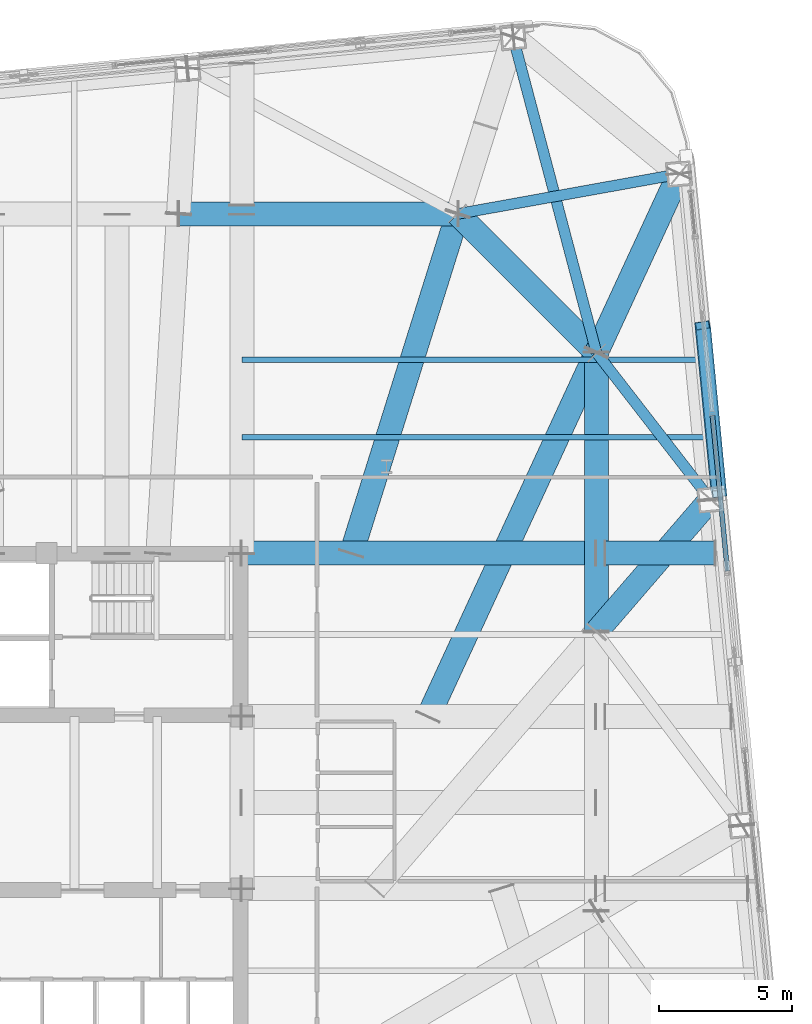
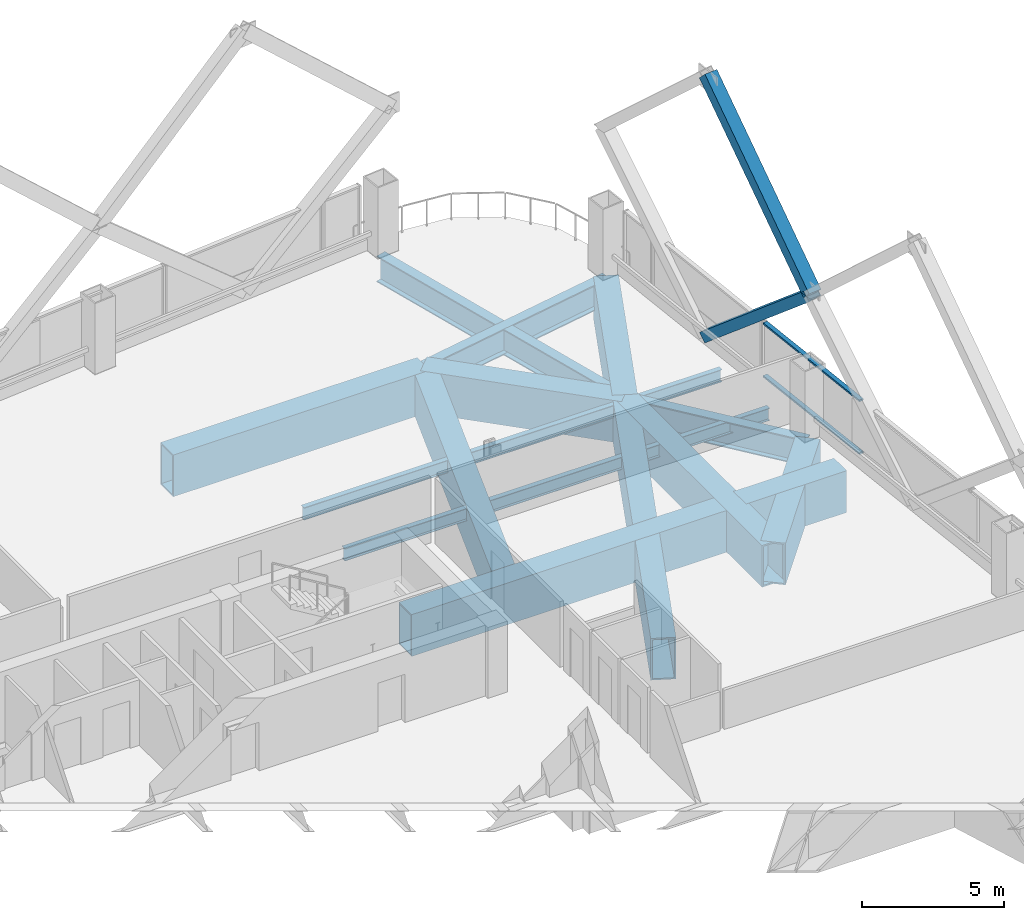
# One storey, part 29 of 42: 14 beams, 4 members, 1 element without a shape of its own.
"""IFC4 building model written with IfcOpenShell, lengths in metres."""

from ifc_helpers import new_model, si_unit, direction, frame, origin, origin_2d, place, context, subcontext, project, spatial, hollow_rectangle, i_section, extrude, material, layer, layer_set, material_profile, profile_set, type_object, element, aggregate, save


model = new_model("IFC4")

# Units and contexts
model_context = context("Model", 3, precision=1e-05, world=origin(), true_north=direction((0.0, 1.0)))
body_context = subcontext(model_context, "Body", "Model", "MODEL_VIEW")
ifc_project = project(units=[si_unit("LENGTHUNIT", "METRE"), si_unit("AREAUNIT", "SQUARE_METRE"), si_unit("VOLUMEUNIT", "CUBIC_METRE"), si_unit("PLANEANGLEUNIT", "RADIAN"), si_unit("MASSUNIT", "GRAM", prefix="KILO")], contexts=[model_context])

# Site, building, storey
site_placement = place(None, origin())
site = spatial("IfcSite", under=ifc_project, at=site_placement, CompositionType="ELEMENT")
building_placement = place(site_placement, origin())
building = spatial("IfcBuilding", under=site, at=building_placement, Name="Qhalaya Broadcast Tower", CompositionType="ELEMENT")
storey_placement = place(building_placement, frame((0.0, 0.0, 69.449951171875)))
storey = spatial("IfcBuildingStorey", under=building, at=storey_placement, Name="L19", CompositionType="ELEMENT", Elevation=69.449951171875)

# Beams
ifc_material_1 = material(Name="Structural Steel ASTM A572 Grade 50", Category="steel")
ifc_material_profile_1 = material_profile(ifc_material_1, hollow_rectangle(XDim=0.89990234375, YDim=1.800048828125, WallThickness=0.06005859375, at=origin_2d()), Name="BOX 900x1800x60")
ifc_profile_set_1 = profile_set([ifc_material_profile_1], Name="Structural Steel ASTM A572 Grade 50")
beam_type_1 = type_object("IfcBeamType", Name="Block Cantilever Transfer Box Girder TG1", PredefinedType="USERDEFINED", material=ifc_profile_set_1)
beam_1_placement = place(storey_placement, frame((22.669921875, 7.00341796875, -1.119873046875), z_axis=(0.0, 1.0, 0.0), x_axis=(-1.0, 0.0, 0.0)))
element("IfcBeam", 1, at=beam_1_placement, inside=storey, type_object=beam_type_1, Name="L19 TG1 L19-TGL-07", ObjectType="GIRDER", PredefinedType="USERDEFINED", context=body_context, shape_type="SweptSolid", body=[
    extrude(hollow_rectangle(XDim=0.89990234375, YDim=1.800048828125, WallThickness=0.06005859375, at=origin_2d()), origin(), (0.0, 0.0, 1.0), 10.466552734375),
])
beam_2_placement = place(storey_placement, frame((22.669921875, 17.469970703125, -1.119873046875), z_axis=(-0.707106781187, 0.707106781187, 0.0), x_axis=(-0.707106781187, -0.707106781187, 0.0)))
element("IfcBeam", 2, at=beam_2_placement, inside=storey, type_object=beam_type_1, Name="L19 TG1 L19-TGL-08", ObjectType="GIRDER", PredefinedType="USERDEFINED", context=body_context, shape_type="SweptSolid", body=[
    extrude(hollow_rectangle(XDim=0.89990234375, YDim=1.800048828125, WallThickness=0.06005859375, at=origin_2d()), origin(), (0.0, 0.0, 1.0), 7.353759765625),
])
beam_3_placement = place(storey_placement, frame((17.469970703125, 22.669921875, -1.119873046875), z_axis=(-1.0, 0.0, 0.0), x_axis=(0.0, -1.0, 0.0)))
element("IfcBeam", 3, at=beam_3_placement, inside=storey, type_object=beam_type_1, Name="L19 TG1 L19-TGL-09", ObjectType="GIRDER", PredefinedType="USERDEFINED", context=body_context, shape_type="SweptSolid", body=[
    extrude(hollow_rectangle(XDim=0.89990234375, YDim=1.800048828125, WallThickness=0.06005859375, at=origin_2d()), origin(), (0.0, 0.0, 1.0), 10.466552734375),
])
beam_4_placement = place(storey_placement, frame((9.375, 9.949951171875, -1.119873046875), z_axis=(1.0, 0.0, 0.0), x_axis=(0.0, 1.0, 0.0)))
element("IfcBeam", 4, at=beam_4_placement, inside=storey, type_object=beam_type_1, Name="L19 TG1 L19-TGIY4E-1", ObjectType="GIRDER", PredefinedType="USERDEFINED", context=body_context, shape_type="SweptSolid", body=[
    extrude(hollow_rectangle(XDim=0.89990234375, YDim=1.800048828125, WallThickness=0.06005859375, at=origin_2d()), origin(), (0.0, 0.0, 1.0), 13.2548828125),
])
beam_5_placement = place(storey_placement, frame((22.669921875, 7.00341796875, -1.119873046875), z_axis=(0.653164847304, 0.757215743528, 0.0), x_axis=(-0.757215743528, 0.653164847304, 0.0)))
element("IfcBeam", 5, at=beam_5_placement, inside=storey, type_object=beam_type_1, Name="L19 Cantilever Transfer Box Girder 07", ObjectType="GIRDER", PredefinedType="USERDEFINED", context=body_context, shape_type="SweptSolid", body=[
    extrude(hollow_rectangle(XDim=0.89990234375, YDim=1.800048828125, WallThickness=0.06005859375, at=origin_2d()), origin(), (0.0, 0.0, 1.0), 6.539306640625),
])
beam_6_placement = place(storey_placement, frame((16.361328125, 3.824951171875, -1.119873046875), z_axis=(0.41965542157, 0.907683495028, 0.0), x_axis=(-0.907683495028, 0.41965542157, 0.0)))
element("IfcBeam", 6, at=beam_6_placement, inside=storey, type_object=beam_type_1, Name="L19 Collinear Back-Span Transfer Box Girder 08", ObjectType="GIRDER", PredefinedType="USERDEFINED", context=body_context, shape_type="SweptSolid", body=[
    extrude(hollow_rectangle(XDim=0.89990234375, YDim=1.800048828125, WallThickness=0.06005859375, at=origin_2d()), origin(), (0.0, 0.0, 1.0), 15.03271484375),
])
beam_7_placement = place(storey_placement, frame((22.669921875, 17.469970703125, -1.119873046875), z_axis=(0.419652079388, 0.907685040234, 0.0), x_axis=(-0.907685040234, 0.419652079388, 0.0)))
element("IfcBeam", 7, at=beam_7_placement, inside=storey, type_object=beam_type_1, Name="L19 Cantilever Transfer Box Girder 08", ObjectType="GIRDER", PredefinedType="USERDEFINED", context=body_context, shape_type="SweptSolid", body=[
    extrude(hollow_rectangle(XDim=0.89990234375, YDim=1.800048828125, WallThickness=0.06005859375, at=origin_2d()), origin(), (0.0, 0.0, 1.0), 7.376220703125),
])
beam_8_placement = place(storey_placement, frame((13.48388671875, 9.949951171875, -1.119873046875), z_axis=(0.299033059069, 0.954242751916, 0.0), x_axis=(-0.954242751916, 0.299033059069, 0.0)))
element("IfcBeam", 8, at=beam_8_placement, inside=storey, type_object=beam_type_1, Name="L19 Collinear Back-Span Transfer Box Girder 09", ObjectType="GIRDER", PredefinedType="USERDEFINED", context=body_context, shape_type="SweptSolid", body=[
    extrude(hollow_rectangle(XDim=0.89990234375, YDim=1.800048828125, WallThickness=0.06005859375, at=origin_2d()), origin(), (0.0, 0.0, 1.0), 13.329833984375),
])
beam_9_placement = place(storey_placement, frame((23.010009765625, 9.949951171875, -1.119873046875), z_axis=(1.0, 0.0, 0.0), x_axis=(0.0, 1.0, 0.0)))
element("IfcBeam", 9, at=beam_9_placement, inside=storey, type_object=beam_type_1, Name="L19 TG1 L19-PGYE4-OV1", ObjectType="GIRDER", PredefinedType="USERDEFINED", context=body_context, shape_type="SweptSolid", body=[
    extrude(hollow_rectangle(XDim=0.89990234375, YDim=1.800048828125, WallThickness=0.06005859375, at=origin_2d()), origin(), (0.0, 0.0, 1.0), 4.104248046875),
])
ifc_material_2 = material(Name="Structural Steel ASTM A992 Grade 50", Category="steel")
ifc_material_profile_2 = material_profile(ifc_material_2, i_section(OverallWidth=0.2099609375, OverallDepth=0.535888671875, WebThickness=0.010986328125, FlangeThickness=0.017333984375, at=origin_2d()), Name="W21X68")
ifc_profile_set_2 = profile_set([ifc_material_profile_2], Name="Structural Steel ASTM A992 Grade 50")
beam_type_2 = type_object("IfcBeamType", Name="Composite Floor Joist J02", PredefinedType="JOIST", material=ifc_profile_set_2)
beam_10_placement = place(storey_placement, frame((9.375, 14.300048828125, -0.488037109375), z_axis=(1.0, 0.0, 0.0), x_axis=(0.0, 1.0, 0.0)))
element("IfcBeam", 10, at=beam_10_placement, inside=storey, type_object=beam_type_2, Name="L19 J02 L19-JWE6E-1", PredefinedType="JOIST", context=body_context, shape_type="SweptSolid", body=[
    extrude(i_section(OverallWidth=0.2099609375, OverallDepth=0.535888671875, WebThickness=0.010986328125, FlangeThickness=0.017333984375, at=origin_2d()), origin(), (0.0, 0.0, 1.0), 17.3203125),
])
beam_11_placement = place(storey_placement, frame((9.375, 17.199951171875, -0.488037109375), z_axis=(1.0, 0.0, 0.0), x_axis=(0.0, 1.0, 0.0)))
element("IfcBeam", 11, at=beam_11_placement, inside=storey, type_object=beam_type_2, Name="L19 J02 L19-JWE7E-1", PredefinedType="JOIST", context=body_context, shape_type="SweptSolid", body=[
    extrude(i_section(OverallWidth=0.2099609375, OverallDepth=0.535888671875, WebThickness=0.010986328125, FlangeThickness=0.017333984375, at=origin_2d()), origin(), (0.0, 0.0, 1.0), 17.041015625),
])

# Members
ifc_material_profile_3 = material_profile(ifc_material_1, hollow_rectangle(XDim=0.419921875, YDim=0.550048828125, WallThickness=0.028076171875, at=origin_2d()), Name="BOX 420x550x28")
ifc_profile_set_3 = profile_set([ifc_material_profile_3], Name="Structural Steel ASTM A572 Grade 50")
member_type_1 = type_object("IfcMemberType", Name="Exoskeleton Diamond Diagonal Mid-Low EX2", PredefinedType="BRACE", material=ifc_profile_set_3)
member_1_placement = place(storey_placement, frame((26.6533203125, 18.49072265625, 0.360107421875), z_axis=(0.073066636585, -0.758635580976, 0.647405067864), x_axis=(-0.157184996454, 0.632267567763, 0.758637330775)))
element("IfcMember", 12, at=member_1_placement, inside=storey, type_object=member_type_1, Name="B2 Exoskeleton Diamond Brace E3-D1", PredefinedType="BRACE", context=body_context, shape_type="SweptSolid", body=[
    extrude(hollow_rectangle(XDim=0.419921875, YDim=0.550048828125, WallThickness=0.028076171875, at=origin_2d()), origin(), (0.0, 0.0, 1.0), 8.309814453125),
])
member_2_placement = place(storey_placement, frame((27.260498046875, 12.1865234375, 5.739990234375), z_axis=(-0.070368182799, 0.730618100613, 0.6791505797), x_axis=(0.160214414414, -0.663721379818, 0.730619785789)))
element("IfcMember", 13, at=member_2_placement, inside=storey, type_object=member_type_1, Name="B2 Exoskeleton Diamond Brace E3-D3", PredefinedType="BRACE", context=body_context, shape_type="SweptSolid", body=[
    extrude(hollow_rectangle(XDim=0.419921875, YDim=0.550048828125, WallThickness=0.028076171875, at=origin_2d()), origin(), (0.0, 0.0, 1.0), 8.628662109375),
])

# Beams
ifc_material_profile_4 = material_profile(ifc_material_2, i_section(OverallWidth=0.404052734375, OverallDepth=1.117919921875, WebThickness=0.026123046875, FlangeThickness=0.044921875, at=origin_2d()), Name="W44X335")
ifc_profile_set_4 = profile_set([ifc_material_profile_4], Name="Structural Steel ASTM A992 Grade 50")
beam_type_3 = type_object("IfcBeamType", Name="Podium Long-Span Primary Girder PG1", PredefinedType="USERDEFINED", material=ifc_profile_set_4)
beam_12_placement = place(storey_placement, frame((22.669921875, 17.469970703125, -0.779052734375), z_axis=(0.612320718714, -0.790609472137, 0.0), x_axis=(0.790609472137, 0.612320718714, 0.0)))
element("IfcBeam", 14, at=beam_12_placement, inside=storey, type_object=beam_type_3, Name="L19 Column-to-Column Moment Tie Girder 07-2", ObjectType="GIRDER", PredefinedType="USERDEFINED", context=body_context, shape_type="SweptSolid", body=[
    extrude(i_section(OverallWidth=0.404052734375, OverallDepth=1.117919921875, WebThickness=0.026123046875, FlangeThickness=0.044921875, at=origin_2d()), origin(), (0.0, 0.0, 1.0), 6.9755859375),
])
beam_13_placement = place(storey_placement, frame((17.469970703125, 22.669921875, -0.779052734375), z_axis=(0.984138044774, 0.177404365302, 0.0), x_axis=(-0.177404365302, 0.984138044774, 0.0)))
element("IfcBeam", 15, at=beam_13_placement, inside=storey, type_object=beam_type_3, Name="L19 Column-to-Column Moment Tie Girder 08-2", ObjectType="GIRDER", PredefinedType="USERDEFINED", context=body_context, shape_type="SweptSolid", body=[
    extrude(i_section(OverallWidth=0.404052734375, OverallDepth=1.117919921875, WebThickness=0.026123046875, FlangeThickness=0.044921875, at=origin_2d()), origin(), (0.0, 0.0, 1.0), 8.42919921875),
])
beam_14_placement = place(storey_placement, frame((22.669921875, 17.469970703125, -0.779052734375), z_axis=(-0.255512252993, 0.966805817406, 0.0), x_axis=(-0.966805817406, -0.255512252993, 0.0)))
element("IfcBeam", 16, at=beam_14_placement, inside=storey, type_object=beam_type_3, Name="L19 Column-to-Column Moment Tie Girder 09-2", ObjectType="GIRDER", PredefinedType="USERDEFINED", context=body_context, shape_type="SweptSolid", body=[
    extrude(i_section(OverallWidth=0.404052734375, OverallDepth=1.117919921875, WebThickness=0.026123046875, FlangeThickness=0.044921875, at=origin_2d()), origin(), (0.0, 0.0, 1.0), 12.228515625),
])

# Curtain wall, members
ifc_material_3 = material(Name="Solar-Control Low-E Triple Glazing", Category="glass")
ifc_layer = layer(ifc_material_3, 0.219970703125, Name="Solar-Control Low-E Triple Glazing")
ifc_layer_set = layer_set([ifc_layer], Name="Solar-Control Low-E Triple Glazing")
curtain_wall_type = type_object("IfcCurtainWallType", Name="Even-Block 4-Storey Double-Module Curtain Wall CW-03", PredefinedType="NOTDEFINED", material=ifc_layer_set)
curtain_wall_placement = place(storey_placement, origin())
curtain_wall = element("IfcCurtainWall", 17, at=curtain_wall_placement, inside=storey, type_object=curtain_wall_type, Name="L19 Unitised Curtain Wall L19-CW-E5", PredefinedType="NOTDEFINED")
ifc_material_4 = material(Name="Anodised Aluminium 6063-T6", Category="aluminium")
ifc_material_profile_5 = material_profile(ifc_material_4, hollow_rectangle(XDim=0.074951171875, YDim=0.179931640625, WallThickness=0.00390625, at=origin_2d()), Name="ALU-TRN 75x180x4")
ifc_profile_set_5 = profile_set([ifc_material_profile_5], Name="Anodised Aluminium 6063-T6")
member_type_2 = type_object("IfcMemberType", Name="Unitised Curtain-Wall Transom T01", PredefinedType="USERDEFINED", material=ifc_profile_set_5)
member_3_placement = place(storey_placement, frame((27.580810546875, 9.276611328125, 0.517578125), z_axis=(-0.095836372519, 0.995397101514, 0.0), x_axis=(0.0, 0.0, 1.0)))
member_3 = element("IfcMember", 18, at=member_3_placement, type_object=member_type_2, Name="CW-03 transom 1.1", ObjectType="TRANSOM", PredefinedType="USERDEFINED", context=body_context, shape_type="SweptSolid", body=[
    extrude(hollow_rectangle(XDim=0.074951171875, YDim=0.179931640625, WallThickness=0.00390625, at=origin_2d()), origin(), (0.0, 0.0, 1.0), 5.85400390625),
])
member_4_placement = place(storey_placement, frame((27.580810546875, 9.276611328125, 2.79248046875), z_axis=(-0.095836372519, 0.995397101514, 0.0), x_axis=(0.0, 0.0, 1.0)))
member_4 = element("IfcMember", 19, at=member_4_placement, type_object=member_type_2, Name="CW-03 transom 1.2", ObjectType="TRANSOM", PredefinedType="USERDEFINED", context=body_context, shape_type="SweptSolid", body=[
    extrude(hollow_rectangle(XDim=0.074951171875, YDim=0.179931640625, WallThickness=0.00390625, at=origin_2d()), origin(), (0.0, 0.0, 1.0), 5.85400390625),
])
aggregate(curtain_wall, [member_3, member_4])

save(model, "model.ifc")
